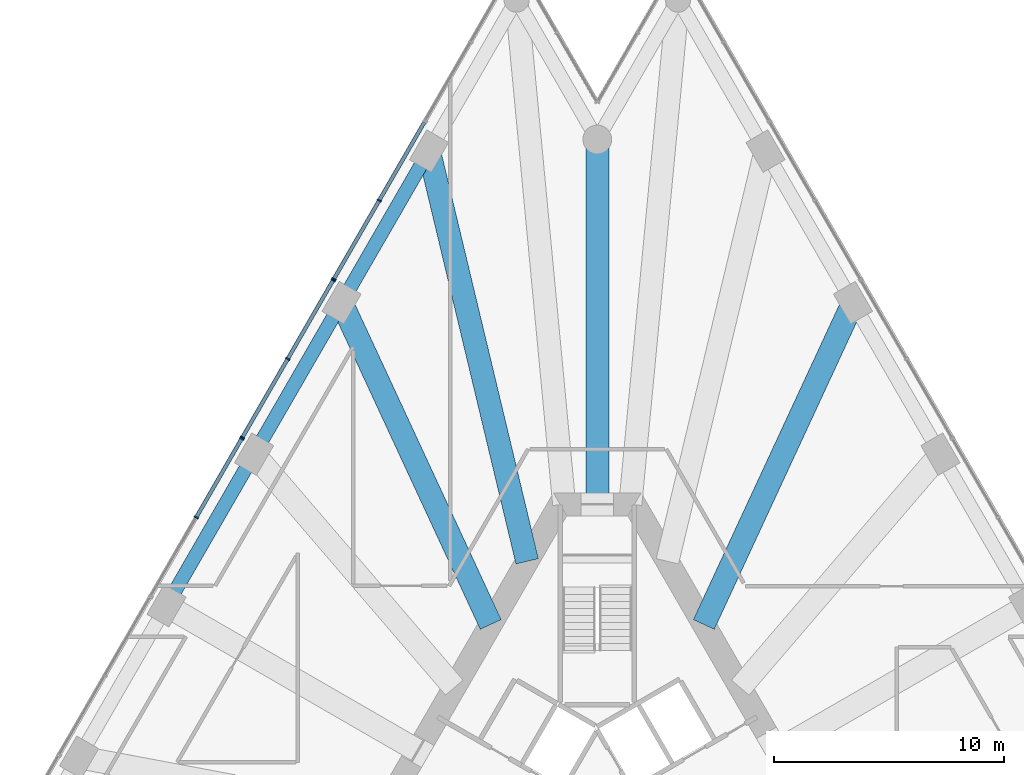
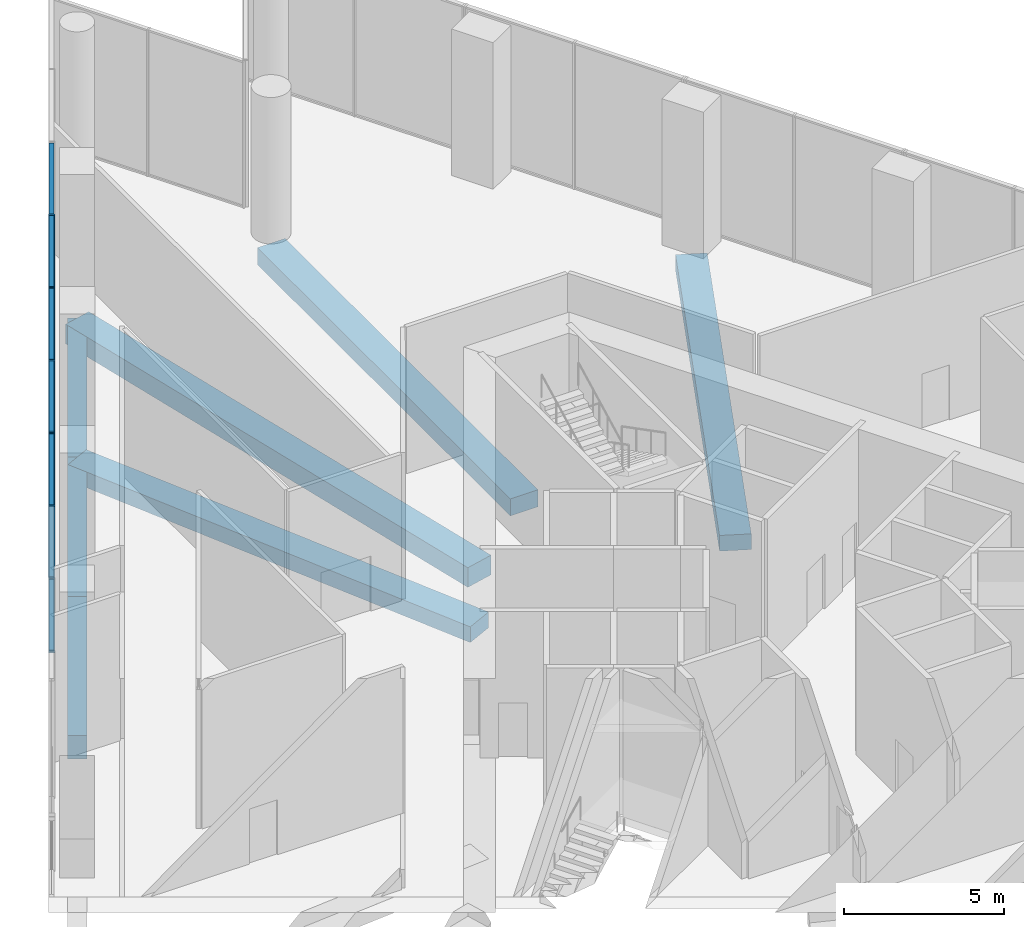
# One storey, part 16 of 36: 17 members, 7 beams, 3 elements without a shape of their own.
"""IFC4 building model written with IfcOpenShell, lengths in metres."""

from ifc_helpers import new_model, si_unit, direction, frame, origin, origin_2d, place, context, subcontext, project, spatial, rectangle, extrude, material, layer, layer_set, material_profile, profile_set, type_object, element, aggregate, save


model = new_model("IFC4")

# Units and contexts
model_context = context("Model", 3, precision=1e-05, world=origin(), true_north=direction((0.0, 1.0)))
body_context = subcontext(model_context, "Body", "Model", "MODEL_VIEW")
ifc_project = project(units=[si_unit("LENGTHUNIT", "METRE"), si_unit("AREAUNIT", "SQUARE_METRE"), si_unit("VOLUMEUNIT", "CUBIC_METRE"), si_unit("PLANEANGLEUNIT", "RADIAN"), si_unit("MASSUNIT", "GRAM", prefix="KILO")], contexts=[model_context])

# Site, building, storey
site_placement = place(None, origin())
site = spatial("IfcSite", under=ifc_project, at=site_placement, CompositionType="ELEMENT")
building_placement = place(site_placement, origin())
building = spatial("IfcBuilding", under=site, at=building_placement, Name="Triada Interchange Tower", CompositionType="ELEMENT")
storey_placement = place(building_placement, frame((0.0, 0.0, 8.5)))
storey = spatial("IfcBuildingStorey", under=building, at=storey_placement, Name="L01", CompositionType="ELEMENT", Elevation=8.5)

# Curtain wall, members
ifc_material_1 = material(Name="Aluminium framed glazing", Category="aluminium")
ifc_layer = layer(ifc_material_1, 0.199951171875)
ifc_layer_set = layer_set([ifc_layer], Name="Curtain wall Concourse glazed screen")
curtain_wall_type = type_object("IfcCurtainWallType", Name="Curtain wall Concourse glazed screen", PredefinedType="NOTDEFINED", material=ifc_layer_set)
curtain_wall_1_placement = place(storey_placement, origin())
curtain_wall_1 = element("IfcCurtainWall", 1, at=curtain_wall_1_placement, inside=storey, type_object=curtain_wall_type, Name="Concourse glazed screen CW028 L01", PredefinedType="NOTDEFINED")
ifc_material_2 = material(Name="Aluminium", Category="aluminium")
ifc_material_profile_1 = material_profile(ifc_material_2, rectangle(XDim=0.199951171875, YDim=0.06005859375, at=origin_2d()), Name="Aluminium mullion")
ifc_profile_set_1 = profile_set([ifc_material_profile_1], Name="Aluminium")
member_type_1 = type_object("IfcMemberType", Name="Mullion Concourse glazed screen 200x60", PredefinedType="MULLION", material=ifc_profile_set_1)
member_1_placement = place(storey_placement, frame((-9.466552734375, 28.403076171875, 0.0), z_axis=(0.0, 0.0, 1.0), x_axis=(0.866055473648, -0.499947913852, 0.0)))
member_1 = element("IfcMember", 2, at=member_1_placement, type_object=member_type_1, Name="CW028 mullion 2", PredefinedType="MULLION", context=body_context, shape_type="SweptSolid", body=[
    extrude(rectangle(XDim=0.199951171875, YDim=0.06005859375, at=origin_2d()), origin(), (0.0, 0.0, 1.0), 5.60009765625),
])
member_2_placement = place(storey_placement, frame((-11.43505859375, 24.992919921875, 0.0), z_axis=(0.0, 0.0, 1.0), x_axis=(0.866055473648, -0.499947913852, 0.0)))
member_2 = element("IfcMember", 3, at=member_2_placement, type_object=member_type_1, Name="CW028 mullion 3", PredefinedType="MULLION", context=body_context, shape_type="SweptSolid", body=[
    extrude(rectangle(XDim=0.199951171875, YDim=0.06005859375, at=origin_2d()), origin(), (0.0, 0.0, 1.0), 5.60009765625),
])

curtain_wall_2_placement = place(storey_placement, origin())
curtain_wall_2 = element("IfcCurtainWall", 4, at=curtain_wall_2_placement, inside=storey, type_object=curtain_wall_type, Name="Concourse glazed screen CW029 L01", PredefinedType="NOTDEFINED")
member_3_placement = place(storey_placement, frame((-11.470947265625, 24.93212890625, 0.0), z_axis=(0.0, 0.0, 1.0), x_axis=(0.866055473648, -0.499947913852, 0.0)))
member_3 = element("IfcMember", 5, at=member_3_placement, type_object=member_type_1, Name="CW029 mullion 1", PredefinedType="MULLION", context=body_context, shape_type="SweptSolid", body=[
    extrude(rectangle(XDim=0.199951171875, YDim=0.06005859375, at=origin_2d()), origin(), (0.0, 0.0, 1.0), 5.60009765625),
])
member_4_placement = place(storey_placement, frame((-13.439453125, 21.52197265625, 0.0), z_axis=(0.0, 0.0, 1.0), x_axis=(0.866055473648, -0.499947913852, 0.0)))
member_4 = element("IfcMember", 6, at=member_4_placement, type_object=member_type_1, Name="CW029 mullion 2", PredefinedType="MULLION", context=body_context, shape_type="SweptSolid", body=[
    extrude(rectangle(XDim=0.199951171875, YDim=0.06005859375, at=origin_2d()), origin(), (0.0, 0.0, 1.0), 5.60009765625),
])
member_5_placement = place(storey_placement, frame((-15.407958984375, 18.112060546875, 0.0), z_axis=(0.0, 0.0, 1.0), x_axis=(0.866055473648, -0.499947913852, 0.0)))
member_5 = element("IfcMember", 7, at=member_5_placement, type_object=member_type_1, Name="CW029 mullion 3", PredefinedType="MULLION", context=body_context, shape_type="SweptSolid", body=[
    extrude(rectangle(XDim=0.199951171875, YDim=0.06005859375, at=origin_2d()), origin(), (0.0, 0.0, 1.0), 5.60009765625),
])

curtain_wall_3_placement = place(storey_placement, origin())
curtain_wall_3 = element("IfcCurtainWall", 8, at=curtain_wall_3_placement, inside=storey, type_object=curtain_wall_type, Name="Concourse glazed screen CW030 L01", PredefinedType="NOTDEFINED")
member_6_placement = place(storey_placement, frame((-15.444091796875, 18.051025390625, 0.0), z_axis=(0.0, 0.0, 1.0), x_axis=(0.866086968603, -0.499893351442, 0.0)))
member_6 = element("IfcMember", 9, at=member_6_placement, type_object=member_type_1, Name="CW030 mullion 1", PredefinedType="MULLION", context=body_context, shape_type="SweptSolid", body=[
    extrude(rectangle(XDim=0.199951171875, YDim=0.06005859375, at=origin_2d()), origin(), (0.0, 0.0, 1.0), 5.60009765625),
])
member_7_placement = place(storey_placement, frame((-17.41259765625, 14.640380859375, 0.0), z_axis=(0.0, 0.0, 1.0), x_axis=(0.866086968603, -0.499893351442, 0.0)))
member_7 = element("IfcMember", 10, at=member_7_placement, type_object=member_type_1, Name="CW030 mullion 2", PredefinedType="MULLION", context=body_context, shape_type="SweptSolid", body=[
    extrude(rectangle(XDim=0.199951171875, YDim=0.06005859375, at=origin_2d()), origin(), (0.0, 0.0, 1.0), 5.60009765625),
])

# Beams
ifc_material_3 = material(Name="Concrete C50/60", Category="concrete")
ifc_material_profile_2 = material_profile(ifc_material_3, rectangle(XDim=1.0, YDim=0.60009765625, at=origin_2d()), Name="RC 1000x600")
ifc_profile_set_2 = profile_set([ifc_material_profile_2], Name="Concrete C50/60")
beam_type_1 = type_object("IfcBeamType", Name="Radial band beam P RC 1000x600", PredefinedType="BEAM", material=ifc_profile_set_2)
for number, where, z_axis, x_axis, name in (
    (11, (-11.10595703125, 23.9619140625, -0.699951171875), (0.420512879237, -0.90728656906, 0.0), (0.90728656906, 0.420512879237, 0.0), "Radial band beam BP03 L01"),
    (12, (11.10595703125, 23.9619140625, -0.699951171875), (-0.420512879237, -0.90728656906, 0.0), (0.90728656906, -0.420512879237, 0.0), "Radial band beam BP27 L01"),
):
    element("IfcBeam", number, at=place(storey_placement, frame(where, z_axis=z_axis, x_axis=x_axis)), inside=storey, type_object=beam_type_1, Name=name, PredefinedType="BEAM", context=body_context, shape_type="SweptSolid", body=[
        extrude(rectangle(XDim=1.0, YDim=0.60009765625, at=origin_2d()), origin(), (0.0, 0.0, 1.0), 15.405029296875),
    ])
ifc_material_profile_3 = material_profile(ifc_material_3, rectangle(XDim=1.0, YDim=0.64990234375, at=origin_2d()), Name="RC 1000x650")
ifc_profile_set_3 = profile_set([ifc_material_profile_3], Name="Concrete C50/60")
beam_type_2 = type_object("IfcBeamType", Name="Radial band beam P RC 1000x650", PredefinedType="BEAM", material=ifc_profile_set_3)
beam_1_placement = place(storey_placement, frame((0.0, 31.050048828125, -0.72509765625), z_axis=(0.0, -1.0, 0.0), x_axis=(1.0, 0.0, 0.0)))
element("IfcBeam", 13, at=beam_1_placement, inside=storey, type_object=beam_type_2, Name="Radial band beam BP30 L01", PredefinedType="BEAM", context=body_context, shape_type="SweptSolid", body=[
    extrude(rectangle(XDim=1.0, YDim=0.64990234375, at=origin_2d()), origin(), (0.0, 0.0, 1.0), 15.85009765625),
])
ifc_material_profile_4 = material_profile(ifc_material_3, rectangle(XDim=1.0, YDim=0.75, at=origin_2d()), Name="RC 1000x750")
ifc_profile_set_4 = profile_set([ifc_material_profile_4], Name="Concrete C50/60")
beam_type_3 = type_object("IfcBeamType", Name="Radial band beam P RC 1000x750", PredefinedType="BEAM", material=ifc_profile_set_4)
beam_2_placement = place(storey_placement, frame((-7.306884765625, 30.5439453125, -0.77490234375), z_axis=(0.232645559645, -0.972561588578, 0.0), x_axis=(0.972561588578, 0.232645559645, 0.0)))
element("IfcBeam", 14, at=beam_2_placement, inside=storey, type_object=beam_type_3, Name="Radial band beam BP02 L01", PredefinedType="BEAM", context=body_context, shape_type="SweptSolid", body=[
    extrude(rectangle(XDim=1.0, YDim=0.75, at=origin_2d()), origin(), (0.0, 0.0, 1.0), 18.319580078125),
])
ifc_material_profile_5 = material_profile(ifc_material_3, rectangle(XDim=0.60009765625, YDim=0.89990234375, at=origin_2d()), Name="RC 600x900")
ifc_profile_set_5 = profile_set([ifc_material_profile_5], Name="Concrete C50/60")
beam_type_4 = type_object("IfcBeamType", Name="Spandrel beam P RC 600x900", PredefinedType="BEAM", material=ifc_profile_set_5)
beam_3_placement = place(storey_placement, frame((-7.306884765625, 30.5439453125, -0.85009765625), z_axis=(-0.499894869559, -0.866086092366, 0.0), x_axis=(0.866086092366, -0.499894869559, 0.0)))
element("IfcBeam", 15, at=beam_3_placement, inside=storey, type_object=beam_type_4, Name="Spandrel beam EP02 L01", PredefinedType="BEAM", context=body_context, shape_type="SweptSolid", body=[
    extrude(rectangle(XDim=0.60009765625, YDim=0.89990234375, at=origin_2d()), origin(), (0.0, 0.0, 1.0), 7.599853515625),
])
beam_4_placement = place(storey_placement, frame((-11.10595703125, 23.9619140625, -0.85009765625), z_axis=(-0.500060803479, -0.865990296034, 0.0), x_axis=(0.865990296034, -0.500060803479, 0.0)))
element("IfcBeam", 16, at=beam_4_placement, inside=storey, type_object=beam_type_4, Name="Spandrel beam EP03 L01", PredefinedType="BEAM", context=body_context, shape_type="SweptSolid", body=[
    extrude(rectangle(XDim=0.60009765625, YDim=0.89990234375, at=origin_2d()), origin(), (0.0, 0.0, 1.0), 7.59912109375),
])
beam_5_placement = place(storey_placement, frame((-14.906005859375, 17.381103515625, -0.85009765625), z_axis=(-0.500046891162, -0.865998329467, 0.0), x_axis=(0.865998329467, -0.500046891162, 0.0)))
element("IfcBeam", 17, at=beam_5_placement, inside=storey, type_object=beam_type_4, Name="Spandrel beam EP04 L01", PredefinedType="BEAM", context=body_context, shape_type="SweptSolid", body=[
    extrude(rectangle(XDim=0.60009765625, YDim=0.89990234375, at=origin_2d()), origin(), (0.0, 0.0, 1.0), 7.599365234375),
])

# Member
ifc_material_profile_6 = material_profile(ifc_material_2, rectangle(XDim=0.159912109375, YDim=0.06005859375, at=origin_2d()), Name="Aluminium transom")
ifc_profile_set_6 = profile_set([ifc_material_profile_6], Name="Aluminium")
member_type_2 = type_object("IfcMemberType", Name="Transom Concourse glazed screen 160x60", PredefinedType="USERDEFINED", material=ifc_profile_set_6)
member_8_placement = place(storey_placement, frame((-7.512939453125, 31.787109375, 0.030029296875), z_axis=(-0.499931386026, -0.866065014457, 0.0), x_axis=(0.866065014457, -0.499931386026, 0.0)))
member_8 = element("IfcMember", 18, at=member_8_placement, type_object=member_type_2, Name="CW028 transom 1.1", ObjectType="TRANSOM", PredefinedType="USERDEFINED", context=body_context, shape_type="SweptSolid", body=[
    extrude(rectangle(XDim=0.159912109375, YDim=0.06005859375, at=origin_2d()), origin(), (0.0, 0.0, 1.0), 3.87744140625),
])

member_9_placement = place(storey_placement, frame((-7.512939453125, 31.787109375, 5.570068359375), z_axis=(-0.499931386026, -0.866065014457, 0.0), x_axis=(0.866065014457, -0.499931386026, 0.0)))
member_9 = element("IfcMember", 19, at=member_9_placement, type_object=member_type_2, Name="CW028 transom 1.2", ObjectType="TRANSOM", PredefinedType="USERDEFINED", context=body_context, shape_type="SweptSolid", body=[
    extrude(rectangle(XDim=0.159912109375, YDim=0.06005859375, at=origin_2d()), origin(), (0.0, 0.0, 1.0), 3.87744140625),
])

member_10_placement = place(storey_placement, frame((-9.4814453125, 28.376953125, 0.030029296875), z_axis=(-0.499958648831, -0.866049276577, 0.0), x_axis=(0.866049276577, -0.499958648831, 0.0)))
member_10 = element("IfcMember", 20, at=member_10_placement, type_object=member_type_2, Name="CW028 transom 2.1", ObjectType="TRANSOM", PredefinedType="USERDEFINED", context=body_context, shape_type="SweptSolid", body=[
    extrude(rectangle(XDim=0.159912109375, YDim=0.06005859375, at=origin_2d()), origin(), (0.0, 0.0, 1.0), 3.877197265625),
])

member_11_placement = place(storey_placement, frame((-9.4814453125, 28.376953125, 5.570068359375), z_axis=(-0.499958648831, -0.866049276577, 0.0), x_axis=(0.866049276577, -0.499958648831, 0.0)))
member_11 = element("IfcMember", 21, at=member_11_placement, type_object=member_type_2, Name="CW028 transom 2.2", ObjectType="TRANSOM", PredefinedType="USERDEFINED", context=body_context, shape_type="SweptSolid", body=[
    extrude(rectangle(XDim=0.159912109375, YDim=0.06005859375, at=origin_2d()), origin(), (0.0, 0.0, 1.0), 3.877197265625),
])

aggregate(curtain_wall_1, [member_1, member_2, member_8, member_9, member_10, member_11])

member_12_placement = place(storey_placement, frame((-11.486083984375, 24.906005859375, 0.030029296875), z_axis=(-0.499958648831, -0.866049276577, 0.0), x_axis=(0.866049276577, -0.499958648831, 0.0)))
member_12 = element("IfcMember", 22, at=member_12_placement, type_object=member_type_2, Name="CW029 transom 1.1", ObjectType="TRANSOM", PredefinedType="USERDEFINED", context=body_context, shape_type="SweptSolid", body=[
    extrude(rectangle(XDim=0.159912109375, YDim=0.06005859375, at=origin_2d()), origin(), (0.0, 0.0, 1.0), 3.877197265625),
])

member_13_placement = place(storey_placement, frame((-11.486083984375, 24.906005859375, 5.570068359375), z_axis=(-0.499958648831, -0.866049276577, 0.0), x_axis=(0.866049276577, -0.499958648831, 0.0)))
member_13 = element("IfcMember", 23, at=member_13_placement, type_object=member_type_2, Name="CW029 transom 1.2", ObjectType="TRANSOM", PredefinedType="USERDEFINED", context=body_context, shape_type="SweptSolid", body=[
    extrude(rectangle(XDim=0.159912109375, YDim=0.06005859375, at=origin_2d()), origin(), (0.0, 0.0, 1.0), 3.877197265625),
])

member_14_placement = place(storey_placement, frame((-13.45458984375, 21.49609375, 0.030029296875), z_axis=(-0.499931386026, -0.866065014457, 0.0), x_axis=(0.866065014457, -0.499931386026, 0.0)))
member_14 = element("IfcMember", 24, at=member_14_placement, type_object=member_type_2, Name="CW029 transom 2.1", ObjectType="TRANSOM", PredefinedType="USERDEFINED", context=body_context, shape_type="SweptSolid", body=[
    extrude(rectangle(XDim=0.159912109375, YDim=0.06005859375, at=origin_2d()), origin(), (0.0, 0.0, 1.0), 3.87744140625),
])

member_15_placement = place(storey_placement, frame((-13.45458984375, 21.49609375, 5.570068359375), z_axis=(-0.499931386026, -0.866065014457, 0.0), x_axis=(0.866065014457, -0.499931386026, 0.0)))
member_15 = element("IfcMember", 25, at=member_15_placement, type_object=member_type_2, Name="CW029 transom 2.2", ObjectType="TRANSOM", PredefinedType="USERDEFINED", context=body_context, shape_type="SweptSolid", body=[
    extrude(rectangle(XDim=0.159912109375, YDim=0.06005859375, at=origin_2d()), origin(), (0.0, 0.0, 1.0), 3.87744140625),
])

aggregate(curtain_wall_2, [member_3, member_4, member_5, member_12, member_13, member_14, member_15])

member_16_placement = place(storey_placement, frame((-15.458984375, 18.025146484375, 0.030029296875), z_axis=(-0.499876867849, -0.866096482494, 0.0), x_axis=(0.866096482494, -0.499876867849, 0.0)))
member_16 = element("IfcMember", 26, at=member_16_placement, type_object=member_type_2, Name="CW030 transom 1.1", ObjectType="TRANSOM", PredefinedType="USERDEFINED", context=body_context, shape_type="SweptSolid", body=[
    extrude(rectangle(XDim=0.159912109375, YDim=0.06005859375, at=origin_2d()), origin(), (0.0, 0.0, 1.0), 3.8779296875),
])

member_17_placement = place(storey_placement, frame((-15.458984375, 18.025146484375, 5.570068359375), z_axis=(-0.499876867849, -0.866096482494, 0.0), x_axis=(0.866096482494, -0.499876867849, 0.0)))
member_17 = element("IfcMember", 27, at=member_17_placement, type_object=member_type_2, Name="CW030 transom 1.2", ObjectType="TRANSOM", PredefinedType="USERDEFINED", context=body_context, shape_type="SweptSolid", body=[
    extrude(rectangle(XDim=0.159912109375, YDim=0.06005859375, at=origin_2d()), origin(), (0.0, 0.0, 1.0), 3.8779296875),
])

aggregate(curtain_wall_3, [member_6, member_7, member_16, member_17])

save(model, "model.ifc")
